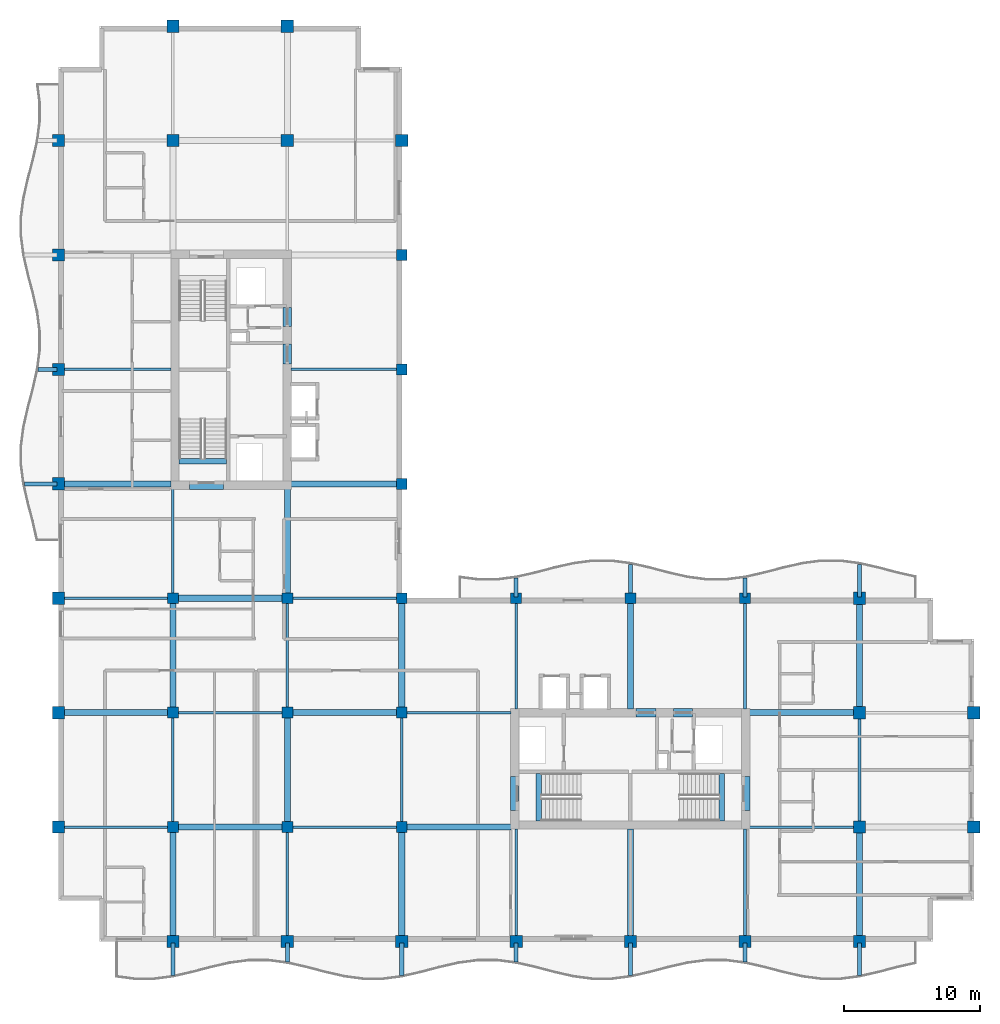
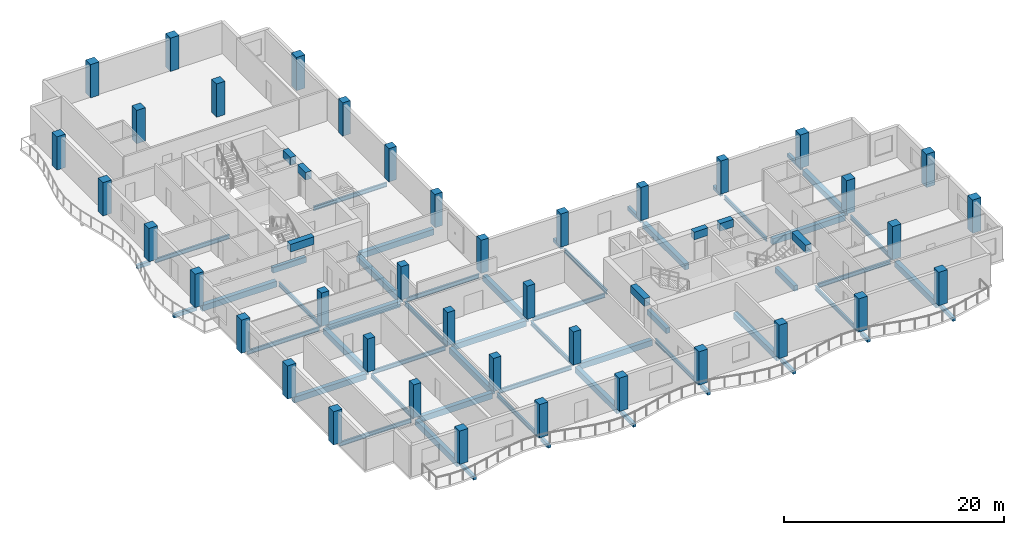
# One storey, part 1 of 12: 60 beams, 39 columns.
"""IFC4 building model written with IfcOpenShell, lengths in metres."""

import ifcopenshell
import ifcopenshell.guid

model = None  # the IFC model being written
_history = None  # IfcOwnerHistory: only IFC2X3 demands one
_inside = {}  # id of a spatial element -> (the spatial element, [elements in it])
_under = {}  # id of a project, library or spatial element -> (it, [spatial elements below it])
_declared = {}  # id of a project -> (the project, [libraries it declares])
_typed = {}  # id of a type object -> (the type object, [elements of that type])
_made_of = {}  # id of a material, layer set ... -> (it, [elements and type objects made of it])


def new_model(schema):
    """Start an empty IFC model of exactly this schema.

    Asked for "IFC4X3", IfcOpenShell would pick the latest addendum, in which some entities
    have other attributes; the version numbers below select the first issue.
    IFC2X3 requires an IfcOwnerHistory on every rooted entity: one is made here for all.
    """
    global model, _history
    if schema == "IFC4X3":
        model = ifcopenshell.file(schema_version=(4, 3, 0, 0))
    else:
        model = ifcopenshell.file(schema=schema)
    _inside.clear()
    _under.clear()
    _declared.clear()
    _typed.clear()
    _made_of.clear()
    _history = None
    if model.schema == "IFC2X3":
        org = make("IfcOrganization", Name="unknown")
        user = make(
            "IfcPersonAndOrganization",
            ThePerson=make("IfcPerson", FamilyName="unknown"),
            TheOrganization=org,
        )
        app = make(
            "IfcApplication",
            ApplicationDeveloper=org,
            Version="unknown",
            ApplicationFullName="unknown",
            ApplicationIdentifier="unknown",
        )
        _history = make(
            "IfcOwnerHistory",
            OwningUser=user,
            OwningApplication=app,
            ChangeAction="ADDED",
            CreationDate=0,
        )
    return model


def make(cls, **values):
    """One entity of the class cls with the attributes given. An attribute that is None is left unset."""
    return model.create_entity(
        cls, **{name: value for name, value in values.items() if value is not None}
    )


def rooted(cls, **values):
    """An entity with a GlobalId (a new one), such as an element, a storey or a relation."""
    return make(cls, GlobalId=ifcopenshell.guid.new(), OwnerHistory=_history, **values)


def si_unit(unit_type, name, prefix=None):
    """IfcSIUnit, for example si_unit("LENGTHUNIT", "METRE", prefix="MILLI")."""
    return make("IfcSIUnit", UnitType=unit_type, Prefix=prefix, Name=name)


def assignment(units):
    """IfcUnitAssignment: the units of a project."""
    return None if units is None else make("IfcUnitAssignment", Units=units)


def point(xyz):
    """IfcCartesianPoint."""
    return None if xyz is None else make("IfcCartesianPoint", Coordinates=xyz)


def direction(xyz):
    """IfcDirection."""
    return None if xyz is None else make("IfcDirection", DirectionRatios=xyz)


def frame(location, z_axis=None, x_axis=None):
    """IfcAxis2Placement3D, a coordinate frame: its origin and axes. An axis left out is left unset."""
    return make(
        "IfcAxis2Placement3D",
        Location=point(location),
        Axis=direction(z_axis),
        RefDirection=direction(x_axis),
    )


def frame_2d(location, x_axis=None):
    """IfcAxis2Placement2D, a coordinate frame in the plane: its origin and x axis."""
    return make(
        "IfcAxis2Placement2D", Location=point(location), RefDirection=direction(x_axis)
    )


def origin():
    """The frame at (0, 0, 0) with its axes left unset."""
    return frame((0.0, 0.0, 0.0))


def origin_2d():
    """The frame at (0, 0) in the plane with its x axis left unset."""
    return frame_2d((0.0, 0.0))


def place(relative_to, where):
    """IfcLocalPlacement: puts the frame where relative to a parent placement (None: the world)."""
    return make(
        "IfcLocalPlacement", PlacementRelTo=relative_to, RelativePlacement=where
    )


def context(
    kind, dimensions, precision=None, world=None, true_north=None, identifier=None
):
    """IfcGeometricRepresentationContext, for example the 3D "Model" context."""
    return make(
        "IfcGeometricRepresentationContext",
        ContextIdentifier=identifier,
        ContextType=kind,
        CoordinateSpaceDimension=dimensions,
        Precision=precision,
        WorldCoordinateSystem=world,
        TrueNorth=true_north,
    )


def subcontext(parent, identifier, kind, view, scale=None):
    """IfcGeometricRepresentationSubContext, for example "Body" below "Model"."""
    return make(
        "IfcGeometricRepresentationSubContext",
        ContextIdentifier=identifier,
        ContextType=kind,
        ParentContext=parent,
        TargetScale=scale,
        TargetView=view,
    )


def project(units=None, contexts=None):
    """IfcProject with its units and contexts."""
    return rooted(
        "IfcProject",
        Name="project",
        RepresentationContexts=contexts,
        UnitsInContext=assignment(units),
    )


def spatial(cls, under=None, at=None, **own):
    """A site, building, storey or space (cls), placed at a placement, below another one or the project."""
    s = rooted(cls, ObjectPlacement=at, **own)
    if under is not None:
        _under.setdefault(under.id(), (under, []))[1].append(s)
    return s


def profile(cls, at=None, kind="AREA", **sizes):
    """A parametric profile (cls). Its sizes go by their IFC names, for example OverallWidth=200.0."""
    return make(cls, ProfileType=kind, Position=at, **sizes)


def rectangle(**sizes):
    """IfcRectangleProfileDef."""
    return profile("IfcRectangleProfileDef", **sizes)


def i_section(**sizes):
    """IfcIShapeProfileDef."""
    return profile("IfcIShapeProfileDef", **sizes)


def extrude(swept, where, along, depth):
    """IfcExtrudedAreaSolid: the profile swept, set in the frame where, extruded along a direction by depth."""
    return make(
        "IfcExtrudedAreaSolid",
        SweptArea=swept,
        Position=where,
        ExtrudedDirection=direction(along),
        Depth=depth,
    )


def shape(context_of_items, identifier, shape_type, items):
    """IfcShapeRepresentation: the items that make up one representation, for example the "Body"."""
    return make(
        "IfcShapeRepresentation",
        ContextOfItems=context_of_items,
        RepresentationIdentifier=identifier,
        RepresentationType=shape_type,
        Items=items,
    )


def material(Name=None, Category=None):
    """IfcMaterial."""
    return make("IfcMaterial", Name=Name, Category=Category)


def material_profile(
    of_material, cross_section, Name=None, Category=None, Priority=None
):
    """IfcMaterialProfile: a cross section and its material."""
    return make(
        "IfcMaterialProfile",
        Name=Name,
        Material=of_material,
        Profile=cross_section,
        Priority=Priority,
        Category=Category,
    )


def profile_set(profiles, Name=None, composite=None):
    """IfcMaterialProfileSet."""
    return make(
        "IfcMaterialProfileSet",
        Name=Name,
        MaterialProfiles=profiles,
        CompositeProfile=composite,
    )


def made_of(thing, what):
    """Note that an element or type object is made of a material, layer set ...; save() writes the relation."""
    if what is not None:
        _made_of.setdefault(what.id(), (what, []))[1].append(thing)
    return thing


def type_object(cls, material=None, **own):
    """A type object (cls), such as IfcWallType, which elements share."""
    return made_of(rooted(cls, **own), material)


def element(
    cls,
    number,
    at=None,
    inside=None,
    cuts=None,
    type_object=None,
    material=None,
    context=None,
    identifier="Body",
    shape_type=None,
    held_by="IfcProductDefinitionShape",
    body=None,
    shapes=None,
    **own,
):
    """One element of the class cls, such as IfcWall. Its Tag is "e" and its number.

    at: its placement. inside: the storey or other place that contains it. cuts: it is an
    opening in that element (IfcRelVoidsElement). A single representation is given by context,
    identifier, shape_type and body (its items); several are given by shapes. held_by: the class
    of the entity that holds the representations. save() writes the other relations.
    """
    e = rooted(cls, Tag="e%d" % number, ObjectPlacement=at, **own)
    if body is not None:
        shapes = [shape(context, identifier, shape_type, body)]
    if shapes is not None:
        e.Representation = make(held_by, Representations=shapes)
    if inside is not None:
        _inside.setdefault(inside.id(), (inside, []))[1].append(e)
    if cuts is not None:
        rooted(
            "IfcRelVoidsElement", RelatingBuildingElement=cuts, RelatedOpeningElement=e
        )
    if type_object is not None:
        _typed.setdefault(type_object.id(), (type_object, []))[1].append(e)
    return made_of(e, material)


def aggregate(whole, parts):
    """IfcRelAggregates: a whole, such as a stair, and the parts it consists of."""
    return rooted("IfcRelAggregates", RelatingObject=whole, RelatedObjects=parts)


def save(model, path):
    """Write the relations noted so far, then the file.

    IfcRelAggregates (storeys below a building ...), IfcRelContainedInSpatialStructure (elements
    in a storey), IfcRelDefinesByType, IfcRelAssociatesMaterial and IfcRelDeclares: one each for
    every whole, place, type object, material and project.
    """
    for whole, parts in _under.values():
        aggregate(whole, parts)
    for where, things in _inside.values():
        rooted(
            "IfcRelContainedInSpatialStructure",
            RelatedElements=things,
            RelatingStructure=where,
        )
    for kind, things in _typed.values():
        rooted("IfcRelDefinesByType", RelatedObjects=things, RelatingType=kind)
    for what, things in _made_of.values():
        rooted("IfcRelAssociatesMaterial", RelatedObjects=things, RelatingMaterial=what)
    for by, libraries in _declared.values():
        rooted("IfcRelDeclares", RelatingContext=by, RelatedDefinitions=libraries)
    model.write(path)


model = new_model("IFC4")

# Units and contexts
model_context = context("Model", 3, precision=1e-05, world=origin(), true_north=direction((0.0, 1.0)))
body_context = subcontext(model_context, "Body", "Model", "MODEL_VIEW")
ifc_project = project(units=[si_unit("LENGTHUNIT", "METRE"), si_unit("AREAUNIT", "SQUARE_METRE"), si_unit("VOLUMEUNIT", "CUBIC_METRE"), si_unit("PLANEANGLEUNIT", "RADIAN"), si_unit("MASSUNIT", "GRAM", prefix="KILO")], contexts=[model_context])

# Site, building, storey
site_placement = place(None, origin())
site = spatial("IfcSite", under=ifc_project, at=site_placement, CompositionType="ELEMENT")
building_placement = place(site_placement, origin())
building = spatial("IfcBuilding", under=site, at=building_placement, Name="Koriwani Terraces Tower", CompositionType="ELEMENT")
storey_placement = place(building_placement, frame((0.0, 0.0, 271.199951171875)))
storey = spatial("IfcBuildingStorey", under=building, at=storey_placement, Name="L67", CompositionType="ELEMENT", Elevation=271.199951171875)

# Columns
ifc_material_1 = material(Name="Concrete C50/60", Category="concrete")
ifc_material_profile_1 = material_profile(ifc_material_1, rectangle(XDim=0.800048828125, YDim=0.800048828125, at=origin_2d()), Name="Concrete C50/60", Category="LoadBearing")
ifc_profile_set_1 = profile_set([ifc_material_profile_1], Name="Concrete C50/60")
column_type_1 = type_object("IfcColumnType", Name="COL_RC_800X800", PredefinedType="COLUMN", material=ifc_profile_set_1)
for number, where, z_axis, x_axis, name in (
    (1, (16.800048828125, 16.800048828125, 0.0), (0.0, 0.0, 1.0), (1.0, 0.0, 0.0), "L67 Column 3/C"),
    (2, (16.800048828125, 25.199951171875, 0.0), (0.0, 0.0, 1.0), (1.0, 0.0, 0.0), "L67 Column 3/D"),
    (3, (16.800048828125, 33.60009765625, 0.0), (0.0, 0.0, 1.0), (1.0, 0.0, 0.0), "L67 Column 3/E"),
    (4, (25.199951171875, 16.800048828125, 0.0), (0.0, 0.0, 1.0), (1.0, 0.0, 0.0), "L67 Column 4/C"),
    (5, (25.199951171875, 25.199951171875, 0.0), (0.0, 0.0, 1.0), (1.0, 0.0, 0.0), "L67 Column 4/D"),
    (6, (25.199951171875, 33.60009765625, 0.0), (0.0, 0.0, 1.0), (1.0, 0.0, 0.0), "L67 Column 4/E"),
    (7, (33.60009765625, 16.800048828125, 0.0), (0.0, 0.0, 1.0), (1.0, 0.0, 0.0), "L67 Column 5/C"),
    (8, (33.60009765625, 25.199951171875, 0.0), (0.0, 0.0, 1.0), (1.0, 0.0, 0.0), "L67 Column 5/D"),
    (9, (33.60009765625, 33.60009765625, 0.0), (0.0, 0.0, 1.0), (1.0, 0.0, 0.0), "L67 Column 5/E"),
    (10, (33.60009765625, 42.0, 0.0), (0.0, 0.0, 1.0), (1.0, 0.0, 0.0), "L67 Column 5/F"),
    (11, (33.60009765625, 50.39990234375, 0.0), (0.0, 0.0, 1.0), (1.0, 0.0, 0.0), "L67 Column 5/G"),
    (12, (33.60009765625, 58.800048828125, 0.0), (0.0, 0.0, 1.0), (1.0, 0.0, 0.0), "L67 Column 5/H"),
    (13, (42.0, 33.60009765625, 0.0), (0.0, 0.0, 1.0), (1.0, 0.0, 0.0), "L67 Column 6/E"),
    (14, (50.39990234375, 33.60009765625, 0.0), (0.0, 0.0, 1.0), (1.0, 0.0, 0.0), "L67 Column 7/E"),
    (15, (58.800048828125, 33.60009765625, 0.0), (0.0, 0.0, 1.0), (1.0, 0.0, 0.0), "L67 Column 8/E"),
):
    element("IfcColumn", number, at=place(storey_placement, frame(where, z_axis=z_axis, x_axis=x_axis)), inside=storey, type_object=column_type_1, Name=name, PredefinedType="COLUMN", context=body_context, shape_type="SweptSolid", body=[
        extrude(rectangle(XDim=0.800048828125, YDim=0.800048828125, at=origin_2d()), origin(), (0.0, 0.0, 1.0), 3.699951171875),
    ])
ifc_material_profile_2 = material_profile(ifc_material_1, rectangle(XDim=0.89990234375, YDim=0.89990234375, at=origin_2d()), Name="Concrete C50/60", Category="LoadBearing")
ifc_profile_set_2 = profile_set([ifc_material_profile_2], Name="Concrete C50/60")
column_type_2 = type_object("IfcColumnType", Name="COL_RC_900X900", PredefinedType="COLUMN", material=ifc_profile_set_2)
for number, where, z_axis, x_axis, name in (
    (16, (8.39990234375, 16.800048828125, 0.0), (0.0, 0.0, 1.0), (1.0, 0.0, 0.0), "L67 Column 2/C"),
    (17, (8.39990234375, 25.199951171875, 0.0), (0.0, 0.0, 1.0), (1.0, 0.0, 0.0), "L67 Column 2/D"),
    (18, (8.39990234375, 33.60009765625, 0.0), (0.0, 0.0, 1.0), (1.0, 0.0, 0.0), "L67 Column 2/E"),
    (19, (8.39990234375, 42.0, 0.0), (0.0, 0.0, 1.0), (1.0, 0.0, 0.0), "L67 Column 2/F"),
    (20, (8.39990234375, 50.39990234375, 0.0), (0.0, 0.0, 1.0), (1.0, 0.0, 0.0), "L67 Column 2/G"),
    (21, (8.39990234375, 58.800048828125, 0.0), (0.0, 0.0, 1.0), (1.0, 0.0, 0.0), "L67 Column 2/H"),
    (22, (8.39990234375, 67.199951171875, 0.0), (0.0, 0.0, 1.0), (1.0, 0.0, 0.0), "L67 Column 2/I"),
    (23, (16.800048828125, 8.39990234375, 0.0), (0.0, 0.0, 1.0), (1.0, 0.0, 0.0), "L67 Column 3/B"),
    (24, (16.800048828125, 67.199951171875, 0.0), (0.0, 0.0, 1.0), (1.0, 0.0, 0.0), "L67 Column 3/I"),
    (25, (16.800048828125, 75.60009765625, 0.0), (0.0, 0.0, 1.0), (1.0, 0.0, 0.0), "L67 Column 3/J"),
    (26, (25.199951171875, 8.39990234375, 0.0), (0.0, 0.0, 1.0), (1.0, 0.0, 0.0), "L67 Column 4/B"),
    (27, (25.199951171875, 67.199951171875, 0.0), (0.0, 0.0, 1.0), (1.0, 0.0, 0.0), "L67 Column 4/I"),
    (28, (25.199951171875, 75.60009765625, 0.0), (0.0, 0.0, 1.0), (1.0, 0.0, 0.0), "L67 Column 4/J"),
    (29, (33.60009765625, 8.39990234375, 0.0), (0.0, 0.0, 1.0), (1.0, 0.0, 0.0), "L67 Column 5/B"),
    (30, (33.60009765625, 67.199951171875, 0.0), (0.0, 0.0, 1.0), (1.0, 0.0, 0.0), "L67 Column 5/I"),
    (31, (42.0, 8.39990234375, 0.0), (0.0, 0.0, 1.0), (1.0, 0.0, 0.0), "L67 Column 6/B"),
    (32, (50.39990234375, 8.39990234375, 0.0), (0.0, 0.0, 1.0), (1.0, 0.0, 0.0), "L67 Column 7/B"),
    (33, (58.800048828125, 8.39990234375, 0.0), (0.0, 0.0, 1.0), (1.0, 0.0, 0.0), "L67 Column 8/B"),
    (34, (67.199951171875, 8.39990234375, 0.0), (0.0, 0.0, 1.0), (1.0, 0.0, 0.0), "L67 Column 9/B"),
    (35, (67.199951171875, 16.800048828125, 0.0), (0.0, 0.0, 1.0), (1.0, 0.0, 0.0), "L67 Column 9/C"),
    (36, (67.199951171875, 25.199951171875, 0.0), (0.0, 0.0, 1.0), (1.0, 0.0, 0.0), "L67 Column 9/D"),
    (37, (67.199951171875, 33.60009765625, 0.0), (0.0, 0.0, 1.0), (1.0, 0.0, 0.0), "L67 Column 9/E"),
    (38, (75.60009765625, 16.800048828125, 0.0), (0.0, 0.0, 1.0), (1.0, 0.0, 0.0), "L67 Column 10/C"),
    (39, (75.60009765625, 25.199951171875, 0.0), (0.0, 0.0, 1.0), (1.0, 0.0, 0.0), "L67 Column 10/D"),
):
    element("IfcColumn", number, at=place(storey_placement, frame(where, z_axis=z_axis, x_axis=x_axis)), inside=storey, type_object=column_type_2, Name=name, PredefinedType="COLUMN", context=body_context, shape_type="SweptSolid", body=[
        extrude(rectangle(XDim=0.89990234375, YDim=0.89990234375, at=origin_2d()), origin(), (0.0, 0.0, 1.0), 3.699951171875),
    ])

# Beams
ifc_material_2 = material(Name="Concrete C40/50", Category="concrete")
ifc_material_profile_3 = material_profile(ifc_material_2, rectangle(XDim=0.300048828125, YDim=0.39990234375, at=origin_2d()), Name="Concrete C40/50", Category="LoadBearing")
ifc_profile_set_3 = profile_set([ifc_material_profile_3], Name="Concrete C40/50")
beam_type_1 = type_object("IfcBeamType", Name="BEAM_RC_BALCONY_RIB_300X400", PredefinedType="JOIST", material=ifc_profile_set_3)
beam_1_placement = place(storey_placement, frame((16.800048828125, 5.907958984375, -0.429931640625), z_axis=(0.0, 1.0, 0.0), x_axis=(-1.0, 0.0, 0.0)))
element("IfcBeam", 40, at=beam_1_placement, inside=storey, type_object=beam_type_1, Name="L67 Balcony Bracket Rib S-1", PredefinedType="JOIST", context=body_context, shape_type="SweptSolid", body=[
    extrude(rectangle(XDim=0.300048828125, YDim=0.39990234375, at=origin_2d()), origin(), (0.0, 0.0, 1.0), 2.39208984375),
])
beam_2_placement = place(storey_placement, frame((25.199951171875, 6.912109375, -0.429931640625), z_axis=(0.0, 1.0, 0.0), x_axis=(-1.0, 0.0, 0.0)))
element("IfcBeam", 41, at=beam_2_placement, inside=storey, type_object=beam_type_1, Name="L67 Balcony Bracket Rib S-2", PredefinedType="JOIST", context=body_context, shape_type="SweptSolid", body=[
    extrude(rectangle(XDim=0.300048828125, YDim=0.39990234375, at=origin_2d()), origin(), (0.0, 0.0, 1.0), 1.387939453125),
])
beam_3_placement = place(storey_placement, frame((33.60009765625, 5.907958984375, -0.429931640625), z_axis=(0.0, 1.0, 0.0), x_axis=(-1.0, 0.0, 0.0)))
element("IfcBeam", 42, at=beam_3_placement, inside=storey, type_object=beam_type_1, Name="L67 Balcony Bracket Rib S-3", PredefinedType="JOIST", context=body_context, shape_type="SweptSolid", body=[
    extrude(rectangle(XDim=0.300048828125, YDim=0.39990234375, at=origin_2d()), origin(), (0.0, 0.0, 1.0), 2.39208984375),
])
beam_4_placement = place(storey_placement, frame((42.0, 6.912109375, -0.429931640625), z_axis=(0.0, 1.0, 0.0), x_axis=(-1.0, 0.0, 0.0)))
element("IfcBeam", 43, at=beam_4_placement, inside=storey, type_object=beam_type_1, Name="L67 Balcony Bracket Rib S-4", PredefinedType="JOIST", context=body_context, shape_type="SweptSolid", body=[
    extrude(rectangle(XDim=0.300048828125, YDim=0.39990234375, at=origin_2d()), origin(), (0.0, 0.0, 1.0), 1.387939453125),
])
beam_5_placement = place(storey_placement, frame((50.39990234375, 5.907958984375, -0.429931640625), z_axis=(0.0, 1.0, 0.0), x_axis=(-1.0, 0.0, 0.0)))
element("IfcBeam", 44, at=beam_5_placement, inside=storey, type_object=beam_type_1, Name="L67 Balcony Bracket Rib S-5", PredefinedType="JOIST", context=body_context, shape_type="SweptSolid", body=[
    extrude(rectangle(XDim=0.300048828125, YDim=0.39990234375, at=origin_2d()), origin(), (0.0, 0.0, 1.0), 2.39208984375),
])
beam_6_placement = place(storey_placement, frame((58.800048828125, 6.912109375, -0.429931640625), z_axis=(0.0, 1.0, 0.0), x_axis=(-1.0, 0.0, 0.0)))
element("IfcBeam", 45, at=beam_6_placement, inside=storey, type_object=beam_type_1, Name="L67 Balcony Bracket Rib S-6", PredefinedType="JOIST", context=body_context, shape_type="SweptSolid", body=[
    extrude(rectangle(XDim=0.300048828125, YDim=0.39990234375, at=origin_2d()), origin(), (0.0, 0.0, 1.0), 1.387939453125),
])
for number, where, z_axis, x_axis, name in (
    (46, (67.199951171875, 5.907958984375, -0.429931640625), (0.0, 1.0, 0.0), (-1.0, 0.0, 0.0), "L67 Balcony Bracket Rib S-7"),
    (47, (5.907958984375, 42.0, -0.429931640625), (1.0, 0.0, 0.0), (0.0, 1.0, 0.0), "L67 Balcony Bracket Rib W-1"),
):
    element("IfcBeam", number, at=place(storey_placement, frame(where, z_axis=z_axis, x_axis=x_axis)), inside=storey, type_object=beam_type_1, Name=name, PredefinedType="JOIST", context=body_context, shape_type="SweptSolid", body=[
        extrude(rectangle(XDim=0.300048828125, YDim=0.39990234375, at=origin_2d()), origin(), (0.0, 0.0, 1.0), 2.39208984375),
    ])
for number, where, z_axis, x_axis, name in (
    (48, (6.912109375, 50.39990234375, -0.429931640625), (1.0, 0.0, 0.0), (0.0, 1.0, 0.0), "L67 Balcony Bracket Rib W-2"),
    (49, (42.0, 33.699951171875, -0.429931640625), (0.0, 1.0, 0.0), (-1.0, 0.0, 0.0), "L67 Balcony Bracket Rib NE-1"),
):
    element("IfcBeam", number, at=place(storey_placement, frame(where, z_axis=z_axis, x_axis=x_axis)), inside=storey, type_object=beam_type_1, Name=name, PredefinedType="JOIST", context=body_context, shape_type="SweptSolid", body=[
        extrude(rectangle(XDim=0.300048828125, YDim=0.39990234375, at=origin_2d()), origin(), (0.0, 0.0, 1.0), 1.387939453125),
    ])
beam_7_placement = place(storey_placement, frame((50.39990234375, 33.699951171875, -0.429931640625), z_axis=(0.0, 1.0, 0.0), x_axis=(-1.0, 0.0, 0.0)))
element("IfcBeam", 50, at=beam_7_placement, inside=storey, type_object=beam_type_1, Name="L67 Balcony Bracket Rib NE-2", PredefinedType="JOIST", context=body_context, shape_type="SweptSolid", body=[
    extrude(rectangle(XDim=0.300048828125, YDim=0.39990234375, at=origin_2d()), origin(), (0.0, 0.0, 1.0), 2.39208984375),
])
beam_8_placement = place(storey_placement, frame((58.800048828125, 33.699951171875, -0.429931640625), z_axis=(0.0, 1.0, 0.0), x_axis=(-1.0, 0.0, 0.0)))
element("IfcBeam", 51, at=beam_8_placement, inside=storey, type_object=beam_type_1, Name="L67 Balcony Bracket Rib NE-3", PredefinedType="JOIST", context=body_context, shape_type="SweptSolid", body=[
    extrude(rectangle(XDim=0.300048828125, YDim=0.39990234375, at=origin_2d()), origin(), (0.0, 0.0, 1.0), 1.387939453125),
])
beam_9_placement = place(storey_placement, frame((67.199951171875, 33.699951171875, -0.429931640625), z_axis=(0.0, 1.0, 0.0), x_axis=(-1.0, 0.0, 0.0)))
element("IfcBeam", 52, at=beam_9_placement, inside=storey, type_object=beam_type_1, Name="L67 Balcony Bracket Rib NE-4", PredefinedType="JOIST", context=body_context, shape_type="SweptSolid", body=[
    extrude(rectangle(XDim=0.300048828125, YDim=0.39990234375, at=origin_2d()), origin(), (0.0, 0.0, 1.0), 2.39208984375),
])
ifc_material_profile_4 = material_profile(ifc_material_1, rectangle(XDim=0.60009765625, YDim=0.85009765625, at=origin_2d()), Name="Concrete C50/60", Category="LoadBearing")
ifc_profile_set_4 = profile_set([ifc_material_profile_4], Name="Concrete C50/60")
beam_type_2 = type_object("IfcBeamType", Name="BEAM_RC_COUPLING_600X850", PredefinedType="LINTEL", material=ifc_profile_set_4)
beam_10_placement = place(storey_placement, frame((25.199951171875, 50.800048828125, 3.045166015625), z_axis=(0.0, 1.0, 0.0), x_axis=(-1.0, 0.0, 0.0)))
element("IfcBeam", 53, at=beam_10_placement, inside=storey, type_object=beam_type_2, Name="L67 Core Coupling Lintel Beam WE1", PredefinedType="LINTEL", context=body_context, shape_type="SweptSolid", body=[
    extrude(rectangle(XDim=0.60009765625, YDim=0.85009765625, at=origin_2d()), origin(), (0.0, 0.0, 1.0), 1.47998046875),
])
beam_11_placement = place(storey_placement, frame((25.199951171875, 53.550048828125, 3.045166015625), z_axis=(0.0, 1.0, 0.0), x_axis=(-1.0, 0.0, 0.0)))
element("IfcBeam", 54, at=beam_11_placement, inside=storey, type_object=beam_type_2, Name="L67 Core Coupling Lintel Beam WE2", PredefinedType="LINTEL", context=body_context, shape_type="SweptSolid", body=[
    extrude(rectangle(XDim=0.60009765625, YDim=0.85009765625, at=origin_2d()), origin(), (0.0, 0.0, 1.0), 1.39990234375),
])
beam_12_placement = place(storey_placement, frame((18.0, 41.89990234375, 3.045166015625), z_axis=(1.0, 0.0, 0.0), x_axis=(0.0, 1.0, 0.0)))
element("IfcBeam", 55, at=beam_12_placement, inside=storey, type_object=beam_type_2, Name="L67 Core Coupling Lintel Beam WS", PredefinedType="LINTEL", context=body_context, shape_type="SweptSolid", body=[
    extrude(rectangle(XDim=0.60009765625, YDim=0.85009765625, at=origin_2d()), origin(), (0.0, 0.0, 1.0), 2.5),
])
beam_13_placement = place(storey_placement, frame((50.800048828125, 25.199951171875, 3.045166015625), z_axis=(1.0, 0.0, 0.0), x_axis=(0.0, 1.0, 0.0)))
element("IfcBeam", 56, at=beam_13_placement, inside=storey, type_object=beam_type_2, Name="L67 Core Coupling Lintel Beam EN1", PredefinedType="LINTEL", context=body_context, shape_type="SweptSolid", body=[
    extrude(rectangle(XDim=0.60009765625, YDim=0.85009765625, at=origin_2d()), origin(), (0.0, 0.0, 1.0), 1.47998046875),
])
beam_14_placement = place(storey_placement, frame((53.550048828125, 25.199951171875, 3.045166015625), z_axis=(1.0, 0.0, 0.0), x_axis=(0.0, 1.0, 0.0)))
element("IfcBeam", 57, at=beam_14_placement, inside=storey, type_object=beam_type_2, Name="L67 Core Coupling Lintel Beam EN2", PredefinedType="LINTEL", context=body_context, shape_type="SweptSolid", body=[
    extrude(rectangle(XDim=0.60009765625, YDim=0.85009765625, at=origin_2d()), origin(), (0.0, 0.0, 1.0), 1.39990234375),
])
for number, where, z_axis, x_axis, name in (
    (58, (41.89990234375, 18.0, 3.045166015625), (0.0, 1.0, 0.0), (-1.0, 0.0, 0.0), "L67 Core Coupling Lintel Beam EW"),
    (59, (58.85009765625, 18.0, 3.045166015625), (0.0, 1.0, 0.0), (-1.0, 0.0, 0.0), "L67 Core Coupling Lintel Beam EE"),
):
    element("IfcBeam", number, at=place(storey_placement, frame(where, z_axis=z_axis, x_axis=x_axis)), inside=storey, type_object=beam_type_2, Name=name, PredefinedType="LINTEL", context=body_context, shape_type="SweptSolid", body=[
        extrude(rectangle(XDim=0.60009765625, YDim=0.85009765625, at=origin_2d()), origin(), (0.0, 0.0, 1.0), 2.5),
    ])
ifc_material_profile_5 = material_profile(ifc_material_2, rectangle(XDim=0.39990234375, YDim=0.60009765625, at=origin_2d()), Name="Concrete C40/50", Category="LoadBearing")
ifc_profile_set_5 = profile_set([ifc_material_profile_5], Name="Concrete C40/50")
beam_type_3 = type_object("IfcBeamType", Name="BEAM_RC_GRID_400X600", PredefinedType="BEAM", material=ifc_profile_set_5)
for number, where, z_axis, x_axis, name in (
    (60, (17.25, 43.655029296875, -0.300048828125), (1.0, 0.0, 0.0), (0.0, 1.0, 0.0), "L67 Stairwell Header Trimmer Beam ST-W1"),
    (61, (43.655029296875, 17.25, -0.300048828125), (0.0, 1.0, 0.0), (-1.0, 0.0, 0.0), "L67 Stairwell Header Trimmer Beam ST-E1"),
    (62, (57.094970703125, 17.25, -0.300048828125), (0.0, 1.0, 0.0), (-1.0, 0.0, 0.0), "L67 Stairwell Header Trimmer Beam ST-E2"),
):
    element("IfcBeam", number, at=place(storey_placement, frame(where, z_axis=z_axis, x_axis=x_axis)), inside=storey, type_object=beam_type_3, Name=name, PredefinedType="BEAM", context=body_context, shape_type="SweptSolid", body=[
        extrude(rectangle(XDim=0.39990234375, YDim=0.60009765625, at=origin_2d()), origin(), (0.0, 0.0, 1.0), 3.5),
    ])
ifc_material_profile_6 = material_profile(ifc_material_1, rectangle(XDim=0.449951171875, YDim=0.64990234375, at=origin_2d()), Name="Concrete C50/60", Category="LoadBearing")
ifc_profile_set_6 = profile_set([ifc_material_profile_6], Name="Concrete C50/60")
beam_type_4 = type_object("IfcBeamType", Name="BEAM_RC_GRID_450X650", PredefinedType="BEAM", material=ifc_profile_set_6)
for number, where, z_axis, x_axis, name in (
    (63, (17.179931640625, 16.800048828125, -0.554931640625), (1.0, 0.0, 0.0), (0.0, 1.0, 0.0), "L67 Grid Beam C (16.8-25.2m)"),
    (64, (33.97998046875, 16.800048828125, -0.554931640625), (1.0, 0.0, 0.0), (0.0, 1.0, 0.0), "L67 Grid Beam C (33.6-42.0m)"),
):
    element("IfcBeam", number, at=place(storey_placement, frame(where, z_axis=z_axis, x_axis=x_axis)), inside=storey, type_object=beam_type_4, Name=name, PredefinedType="BEAM", context=body_context, shape_type="SweptSolid", body=[
        extrude(rectangle(XDim=0.449951171875, YDim=0.64990234375, at=origin_2d()), origin(), (0.0, 0.0, 1.0), 7.64013671875),
    ])
beam_15_placement = place(storey_placement, frame((8.830078125, 25.199951171875, -0.554931640625), z_axis=(1.0, 0.0, 0.0), x_axis=(0.0, 1.0, 0.0)))
element("IfcBeam", 65, at=beam_15_placement, inside=storey, type_object=beam_type_4, Name="L67 Grid Beam D (8.4-16.8m)", PredefinedType="BEAM", context=body_context, shape_type="SweptSolid", body=[
    extrude(rectangle(XDim=0.449951171875, YDim=0.64990234375, at=origin_2d()), origin(), (0.0, 0.0, 1.0), 7.58984375),
])
beam_16_placement = place(storey_placement, frame((25.580078125, 25.199951171875, -0.554931640625), z_axis=(1.0, 0.0, 0.0), x_axis=(0.0, 1.0, 0.0)))
element("IfcBeam", 66, at=beam_16_placement, inside=storey, type_object=beam_type_4, Name="L67 Grid Beam D (25.2-33.6m)", PredefinedType="BEAM", context=body_context, shape_type="SweptSolid", body=[
    extrude(rectangle(XDim=0.449951171875, YDim=0.64990234375, at=origin_2d()), origin(), (0.0, 0.0, 1.0), 7.639892578125),
])
for number, where, z_axis, x_axis, name in (
    (67, (59.1298828125, 25.199951171875, -0.554931640625), (1.0, 0.0, 0.0), (0.0, 1.0, 0.0), "L67 Grid Beam D (58.8-67.2m)"),
    (68, (17.179931640625, 33.60009765625, -0.554931640625), (1.0, 0.0, 0.0), (0.0, 1.0, 0.0), "L67 Grid Beam E (16.8-25.2m)"),
):
    element("IfcBeam", number, at=place(storey_placement, frame(where, z_axis=z_axis, x_axis=x_axis)), inside=storey, type_object=beam_type_4, Name=name, PredefinedType="BEAM", context=body_context, shape_type="SweptSolid", body=[
        extrude(rectangle(XDim=0.449951171875, YDim=0.64990234375, at=origin_2d()), origin(), (0.0, 0.0, 1.0), 7.64013671875),
    ])
beam_17_placement = place(storey_placement, frame((8.830078125, 42.0, -0.554931640625), z_axis=(1.0, 0.0, 0.0), x_axis=(0.0, 1.0, 0.0)))
element("IfcBeam", 69, at=beam_17_placement, inside=storey, type_object=beam_type_4, Name="L67 Grid Beam F (8.4-16.8m)", PredefinedType="BEAM", context=body_context, shape_type="SweptSolid", body=[
    extrude(rectangle(XDim=0.449951171875, YDim=0.64990234375, at=origin_2d()), origin(), (0.0, 0.0, 1.0), 7.83984375),
])
beam_18_placement = place(storey_placement, frame((25.47998046875, 42.0, -0.554931640625), z_axis=(1.0, 0.0, 0.0), x_axis=(0.0, 1.0, 0.0)))
element("IfcBeam", 70, at=beam_18_placement, inside=storey, type_object=beam_type_4, Name="L67 Grid Beam F (25.2-33.6m)", PredefinedType="BEAM", context=body_context, shape_type="SweptSolid", body=[
    extrude(rectangle(XDim=0.449951171875, YDim=0.64990234375, at=origin_2d()), origin(), (0.0, 0.0, 1.0), 7.739990234375),
])
beam_19_placement = place(storey_placement, frame((16.800048828125, 8.830078125, -0.554931640625), z_axis=(0.0, 1.0, 0.0), x_axis=(-1.0, 0.0, 0.0)))
element("IfcBeam", 71, at=beam_19_placement, inside=storey, type_object=beam_type_4, Name="L67 Grid Beam 3 (8.4-16.8m)", PredefinedType="BEAM", context=body_context, shape_type="SweptSolid", body=[
    extrude(rectangle(XDim=0.449951171875, YDim=0.64990234375, at=origin_2d()), origin(), (0.0, 0.0, 1.0), 7.58984375),
])
beam_20_placement = place(storey_placement, frame((16.800048828125, 25.580078125, -0.554931640625), z_axis=(0.0, 1.0, 0.0), x_axis=(-1.0, 0.0, 0.0)))
element("IfcBeam", 72, at=beam_20_placement, inside=storey, type_object=beam_type_4, Name="L67 Grid Beam 3 (25.2-33.6m)", PredefinedType="BEAM", context=body_context, shape_type="SweptSolid", body=[
    extrude(rectangle(XDim=0.449951171875, YDim=0.64990234375, at=origin_2d()), origin(), (0.0, 0.0, 1.0), 7.639892578125),
])
for number, where, z_axis, x_axis, name in (
    (73, (25.199951171875, 17.179931640625, -0.554931640625), (0.0, 1.0, 0.0), (-1.0, 0.0, 0.0), "L67 Grid Beam 4 (16.8-25.2m)"),
    (74, (25.199951171875, 33.97998046875, -0.554931640625), (0.0, 1.0, 0.0), (-1.0, 0.0, 0.0), "L67 Grid Beam 4 (33.6-42.0m)"),
):
    element("IfcBeam", number, at=place(storey_placement, frame(where, z_axis=z_axis, x_axis=x_axis)), inside=storey, type_object=beam_type_4, Name=name, PredefinedType="BEAM", context=body_context, shape_type="SweptSolid", body=[
        extrude(rectangle(XDim=0.449951171875, YDim=0.64990234375, at=origin_2d()), origin(), (0.0, 0.0, 1.0), 7.64013671875),
    ])
beam_21_placement = place(storey_placement, frame((33.60009765625, 8.830078125, -0.554931640625), z_axis=(0.0, 1.0, 0.0), x_axis=(-1.0, 0.0, 0.0)))
element("IfcBeam", 75, at=beam_21_placement, inside=storey, type_object=beam_type_4, Name="L67 Grid Beam 5 (8.4-16.8m)", PredefinedType="BEAM", context=body_context, shape_type="SweptSolid", body=[
    extrude(rectangle(XDim=0.449951171875, YDim=0.64990234375, at=origin_2d()), origin(), (0.0, 0.0, 1.0), 7.58984375),
])
beam_22_placement = place(storey_placement, frame((33.60009765625, 25.580078125, -0.554931640625), z_axis=(0.0, 1.0, 0.0), x_axis=(-1.0, 0.0, 0.0)))
element("IfcBeam", 76, at=beam_22_placement, inside=storey, type_object=beam_type_4, Name="L67 Grid Beam 5 (25.2-33.6m)", PredefinedType="BEAM", context=body_context, shape_type="SweptSolid", body=[
    extrude(rectangle(XDim=0.449951171875, YDim=0.64990234375, at=origin_2d()), origin(), (0.0, 0.0, 1.0), 7.639892578125),
])
beam_23_placement = place(storey_placement, frame((50.39990234375, 8.830078125, -0.554931640625), z_axis=(0.0, 1.0, 0.0), x_axis=(-1.0, 0.0, 0.0)))
element("IfcBeam", 77, at=beam_23_placement, inside=storey, type_object=beam_type_4, Name="L67 Grid Beam 7 (8.4-16.8m)", PredefinedType="BEAM", context=body_context, shape_type="SweptSolid", body=[
    extrude(rectangle(XDim=0.449951171875, YDim=0.64990234375, at=origin_2d()), origin(), (0.0, 0.0, 1.0), 7.83984375),
])
beam_24_placement = place(storey_placement, frame((50.39990234375, 25.47998046875, -0.554931640625), z_axis=(0.0, 1.0, 0.0), x_axis=(-1.0, 0.0, 0.0)))
element("IfcBeam", 78, at=beam_24_placement, inside=storey, type_object=beam_type_4, Name="L67 Grid Beam 7 (25.2-33.6m)", PredefinedType="BEAM", context=body_context, shape_type="SweptSolid", body=[
    extrude(rectangle(XDim=0.449951171875, YDim=0.64990234375, at=origin_2d()), origin(), (0.0, 0.0, 1.0), 7.739990234375),
])
for number, where, z_axis, x_axis, name in (
    (79, (67.199951171875, 8.830078125, -0.554931640625), (0.0, 1.0, 0.0), (-1.0, 0.0, 0.0), "L67 Grid Beam 9 (8.4-16.8m)"),
    (80, (67.199951171875, 25.6298828125, -0.554931640625), (0.0, 1.0, 0.0), (-1.0, 0.0, 0.0), "L67 Grid Beam 9 (25.2-33.6m)"),
):
    element("IfcBeam", number, at=place(storey_placement, frame(where, z_axis=z_axis, x_axis=x_axis)), inside=storey, type_object=beam_type_4, Name=name, PredefinedType="BEAM", context=body_context, shape_type="SweptSolid", body=[
        extrude(rectangle(XDim=0.449951171875, YDim=0.64990234375, at=origin_2d()), origin(), (0.0, 0.0, 1.0), 7.5400390625),
    ])
ifc_material_3 = material(Name="Steel ASTM A572 Grade 50", Category="steel")
ifc_material_profile_7 = material_profile(ifc_material_3, i_section(OverallWidth=0.19189453125, OverallDepth=0.462890625, WebThickness=0.010498046875, FlangeThickness=0.01611328125, at=origin_2d()), Name="Steel ASTM A572 Grade 50", Category="LoadBearing")
ifc_profile_set_7 = profile_set([ifc_material_profile_7], Name="Steel ASTM A572 Grade 50")
beam_type_5 = type_object("IfcBeamType", Name="STEEL_BEAM_W460X89", PredefinedType="BEAM", material=ifc_profile_set_7)
beam_25_placement = place(storey_placement, frame((8.830078125, 16.800048828125, -0.46142578125), z_axis=(1.0, 0.0, 0.0), x_axis=(0.0, 1.0, 0.0)))
element("IfcBeam", 81, at=beam_25_placement, inside=storey, type_object=beam_type_5, Name="L67 Grid Beam C (8.4-16.8m)", PredefinedType="BEAM", context=body_context, shape_type="SweptSolid", body=[
    extrude(i_section(OverallWidth=0.19189453125, OverallDepth=0.462890625, WebThickness=0.010498046875, FlangeThickness=0.01611328125, at=origin_2d()), origin(), (0.0, 0.0, 1.0), 7.58984375),
])
beam_26_placement = place(storey_placement, frame((25.580078125, 16.800048828125, -0.46142578125), z_axis=(1.0, 0.0, 0.0), x_axis=(0.0, 1.0, 0.0)))
element("IfcBeam", 82, at=beam_26_placement, inside=storey, type_object=beam_type_5, Name="L67 Grid Beam C (25.2-33.6m)", PredefinedType="BEAM", context=body_context, shape_type="SweptSolid", body=[
    extrude(i_section(OverallWidth=0.19189453125, OverallDepth=0.462890625, WebThickness=0.010498046875, FlangeThickness=0.01611328125, at=origin_2d()), origin(), (0.0, 0.0, 1.0), 7.639892578125),
])
for number, where, z_axis, x_axis, name in (
    (83, (59.1298828125, 16.800048828125, -0.46142578125), (1.0, 0.0, 0.0), (0.0, 1.0, 0.0), "L67 Grid Beam C (58.8-67.2m)"),
    (84, (17.179931640625, 25.199951171875, -0.46142578125), (1.0, 0.0, 0.0), (0.0, 1.0, 0.0), "L67 Grid Beam D (16.8-25.2m)"),
    (85, (33.97998046875, 25.199951171875, -0.46142578125), (1.0, 0.0, 0.0), (0.0, 1.0, 0.0), "L67 Grid Beam D (33.6-42.0m)"),
):
    element("IfcBeam", number, at=place(storey_placement, frame(where, z_axis=z_axis, x_axis=x_axis)), inside=storey, type_object=beam_type_5, Name=name, PredefinedType="BEAM", context=body_context, shape_type="SweptSolid", body=[
        extrude(i_section(OverallWidth=0.19189453125, OverallDepth=0.462890625, WebThickness=0.010498046875, FlangeThickness=0.01611328125, at=origin_2d()), origin(), (0.0, 0.0, 1.0), 7.64013671875),
    ])
beam_27_placement = place(storey_placement, frame((8.830078125, 33.60009765625, -0.46142578125), z_axis=(1.0, 0.0, 0.0), x_axis=(0.0, 1.0, 0.0)))
element("IfcBeam", 86, at=beam_27_placement, inside=storey, type_object=beam_type_5, Name="L67 Grid Beam E (8.4-16.8m)", PredefinedType="BEAM", context=body_context, shape_type="SweptSolid", body=[
    extrude(i_section(OverallWidth=0.19189453125, OverallDepth=0.462890625, WebThickness=0.010498046875, FlangeThickness=0.01611328125, at=origin_2d()), origin(), (0.0, 0.0, 1.0), 7.58984375),
])
beam_28_placement = place(storey_placement, frame((25.580078125, 33.60009765625, -0.46142578125), z_axis=(1.0, 0.0, 0.0), x_axis=(0.0, 1.0, 0.0)))
element("IfcBeam", 87, at=beam_28_placement, inside=storey, type_object=beam_type_5, Name="L67 Grid Beam E (25.2-33.6m)", PredefinedType="BEAM", context=body_context, shape_type="SweptSolid", body=[
    extrude(i_section(OverallWidth=0.19189453125, OverallDepth=0.462890625, WebThickness=0.010498046875, FlangeThickness=0.01611328125, at=origin_2d()), origin(), (0.0, 0.0, 1.0), 7.639892578125),
])
beam_29_placement = place(storey_placement, frame((8.830078125, 50.39990234375, -0.46142578125), z_axis=(1.0, 0.0, 0.0), x_axis=(0.0, 1.0, 0.0)))
element("IfcBeam", 88, at=beam_29_placement, inside=storey, type_object=beam_type_5, Name="L67 Grid Beam G (8.4-16.8m)", PredefinedType="BEAM", context=body_context, shape_type="SweptSolid", body=[
    extrude(i_section(OverallWidth=0.19189453125, OverallDepth=0.462890625, WebThickness=0.010498046875, FlangeThickness=0.01611328125, at=origin_2d()), origin(), (0.0, 0.0, 1.0), 7.83984375),
])
beam_30_placement = place(storey_placement, frame((25.47998046875, 50.39990234375, -0.46142578125), z_axis=(1.0, 0.0, 0.0), x_axis=(0.0, 1.0, 0.0)))
element("IfcBeam", 89, at=beam_30_placement, inside=storey, type_object=beam_type_5, Name="L67 Grid Beam G (25.2-33.6m)", PredefinedType="BEAM", context=body_context, shape_type="SweptSolid", body=[
    extrude(i_section(OverallWidth=0.19189453125, OverallDepth=0.462890625, WebThickness=0.010498046875, FlangeThickness=0.01611328125, at=origin_2d()), origin(), (0.0, 0.0, 1.0), 7.739990234375),
])
for number, where, z_axis, x_axis, name in (
    (90, (16.800048828125, 17.179931640625, -0.46142578125), (0.0, 1.0, 0.0), (-1.0, 0.0, 0.0), "L67 Grid Beam 3 (16.8-25.2m)"),
    (91, (16.800048828125, 33.97998046875, -0.46142578125), (0.0, 1.0, 0.0), (-1.0, 0.0, 0.0), "L67 Grid Beam 3 (33.6-42.0m)"),
):
    element("IfcBeam", number, at=place(storey_placement, frame(where, z_axis=z_axis, x_axis=x_axis)), inside=storey, type_object=beam_type_5, Name=name, PredefinedType="BEAM", context=body_context, shape_type="SweptSolid", body=[
        extrude(i_section(OverallWidth=0.19189453125, OverallDepth=0.462890625, WebThickness=0.010498046875, FlangeThickness=0.01611328125, at=origin_2d()), origin(), (0.0, 0.0, 1.0), 7.64013671875),
    ])
beam_31_placement = place(storey_placement, frame((25.199951171875, 8.830078125, -0.46142578125), z_axis=(0.0, 1.0, 0.0), x_axis=(-1.0, 0.0, 0.0)))
element("IfcBeam", 92, at=beam_31_placement, inside=storey, type_object=beam_type_5, Name="L67 Grid Beam 4 (8.4-16.8m)", PredefinedType="BEAM", context=body_context, shape_type="SweptSolid", body=[
    extrude(i_section(OverallWidth=0.19189453125, OverallDepth=0.462890625, WebThickness=0.010498046875, FlangeThickness=0.01611328125, at=origin_2d()), origin(), (0.0, 0.0, 1.0), 7.58984375),
])
beam_32_placement = place(storey_placement, frame((25.199951171875, 25.580078125, -0.46142578125), z_axis=(0.0, 1.0, 0.0), x_axis=(-1.0, 0.0, 0.0)))
element("IfcBeam", 93, at=beam_32_placement, inside=storey, type_object=beam_type_5, Name="L67 Grid Beam 4 (25.2-33.6m)", PredefinedType="BEAM", context=body_context, shape_type="SweptSolid", body=[
    extrude(i_section(OverallWidth=0.19189453125, OverallDepth=0.462890625, WebThickness=0.010498046875, FlangeThickness=0.01611328125, at=origin_2d()), origin(), (0.0, 0.0, 1.0), 7.639892578125),
])
beam_33_placement = place(storey_placement, frame((33.60009765625, 17.179931640625, -0.46142578125), z_axis=(0.0, 1.0, 0.0), x_axis=(-1.0, 0.0, 0.0)))
element("IfcBeam", 94, at=beam_33_placement, inside=storey, type_object=beam_type_5, Name="L67 Grid Beam 5 (16.8-25.2m)", PredefinedType="BEAM", context=body_context, shape_type="SweptSolid", body=[
    extrude(i_section(OverallWidth=0.19189453125, OverallDepth=0.462890625, WebThickness=0.010498046875, FlangeThickness=0.01611328125, at=origin_2d()), origin(), (0.0, 0.0, 1.0), 7.64013671875),
])
beam_34_placement = place(storey_placement, frame((42.0, 8.830078125, -0.46142578125), z_axis=(0.0, 1.0, 0.0), x_axis=(-1.0, 0.0, 0.0)))
element("IfcBeam", 95, at=beam_34_placement, inside=storey, type_object=beam_type_5, Name="L67 Grid Beam 6 (8.4-16.8m)", PredefinedType="BEAM", context=body_context, shape_type="SweptSolid", body=[
    extrude(i_section(OverallWidth=0.19189453125, OverallDepth=0.462890625, WebThickness=0.010498046875, FlangeThickness=0.01611328125, at=origin_2d()), origin(), (0.0, 0.0, 1.0), 7.83984375),
])
beam_35_placement = place(storey_placement, frame((42.0, 25.47998046875, -0.46142578125), z_axis=(0.0, 1.0, 0.0), x_axis=(-1.0, 0.0, 0.0)))
element("IfcBeam", 96, at=beam_35_placement, inside=storey, type_object=beam_type_5, Name="L67 Grid Beam 6 (25.2-33.6m)", PredefinedType="BEAM", context=body_context, shape_type="SweptSolid", body=[
    extrude(i_section(OverallWidth=0.19189453125, OverallDepth=0.462890625, WebThickness=0.010498046875, FlangeThickness=0.01611328125, at=origin_2d()), origin(), (0.0, 0.0, 1.0), 7.739990234375),
])
beam_36_placement = place(storey_placement, frame((58.800048828125, 8.830078125, -0.46142578125), z_axis=(0.0, 1.0, 0.0), x_axis=(-1.0, 0.0, 0.0)))
element("IfcBeam", 97, at=beam_36_placement, inside=storey, type_object=beam_type_5, Name="L67 Grid Beam 8 (8.4-16.8m)", PredefinedType="BEAM", context=body_context, shape_type="SweptSolid", body=[
    extrude(i_section(OverallWidth=0.19189453125, OverallDepth=0.462890625, WebThickness=0.010498046875, FlangeThickness=0.01611328125, at=origin_2d()), origin(), (0.0, 0.0, 1.0), 7.83984375),
])
beam_37_placement = place(storey_placement, frame((58.800048828125, 25.47998046875, -0.46142578125), z_axis=(0.0, 1.0, 0.0), x_axis=(-1.0, 0.0, 0.0)))
element("IfcBeam", 98, at=beam_37_placement, inside=storey, type_object=beam_type_5, Name="L67 Grid Beam 8 (25.2-33.6m)", PredefinedType="BEAM", context=body_context, shape_type="SweptSolid", body=[
    extrude(i_section(OverallWidth=0.19189453125, OverallDepth=0.462890625, WebThickness=0.010498046875, FlangeThickness=0.01611328125, at=origin_2d()), origin(), (0.0, 0.0, 1.0), 7.739990234375),
])
beam_38_placement = place(storey_placement, frame((67.199951171875, 17.22998046875, -0.46142578125), z_axis=(0.0, 1.0, 0.0), x_axis=(-1.0, 0.0, 0.0)))
element("IfcBeam", 99, at=beam_38_placement, inside=storey, type_object=beam_type_5, Name="L67 Grid Beam 9 (16.8-25.2m)", PredefinedType="BEAM", context=body_context, shape_type="SweptSolid", body=[
    extrude(i_section(OverallWidth=0.19189453125, OverallDepth=0.462890625, WebThickness=0.010498046875, FlangeThickness=0.01611328125, at=origin_2d()), origin(), (0.0, 0.0, 1.0), 7.5400390625),
])

save(model, "model.ifc")
